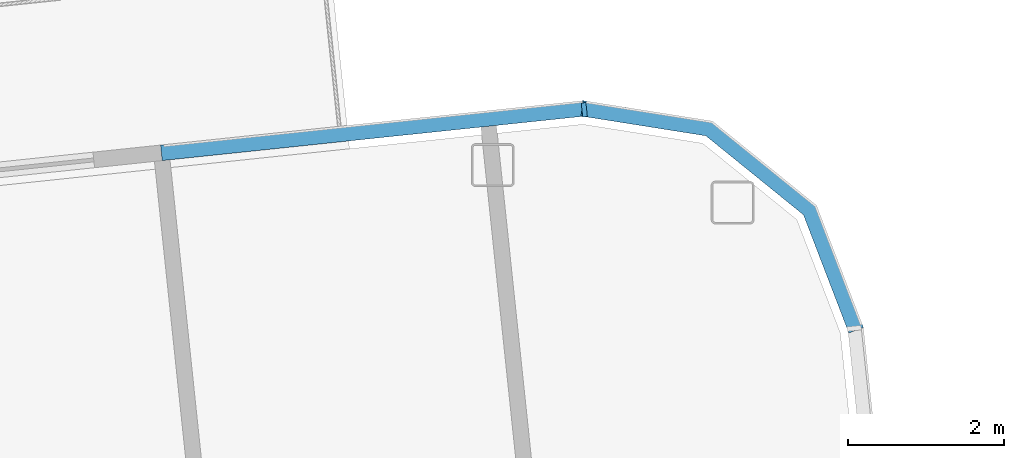
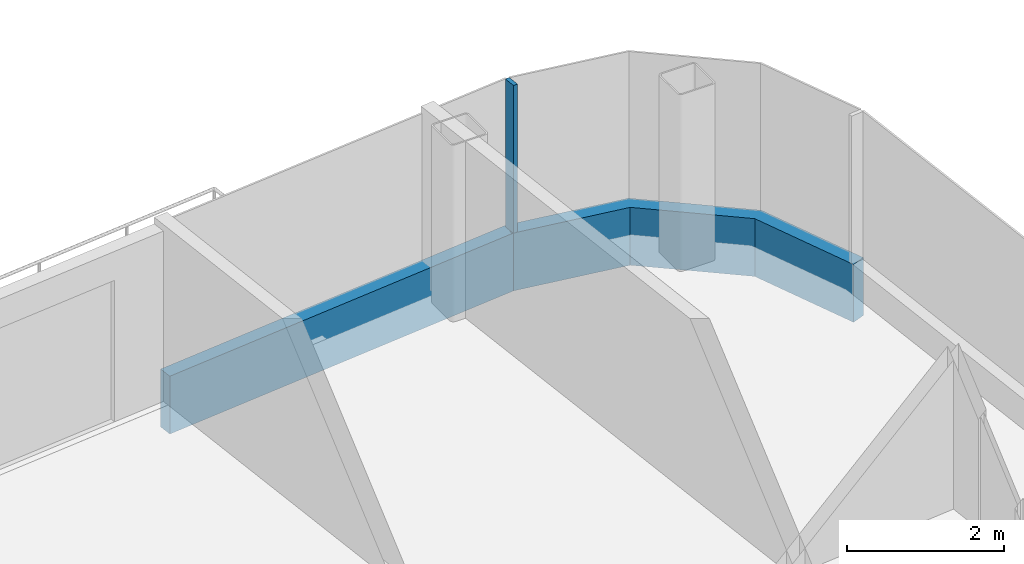
# One storey, part 10 of 30: 3 members, 2 elements without a shape of their own.
"""IFC4 building model written with IfcOpenShell, lengths in metres."""

from ifc_helpers import new_model, si_unit, direction, frame, origin, origin_2d, place, context, subcontext, project, spatial, polyline, rectangle, outline, extrude, material, layer, layer_set, material_profile, profile_set, type_object, element, aggregate, save


model = new_model("IFC4")

# Units and contexts
model_context = context("Model", 3, precision=1e-05, world=origin(), true_north=direction((0.0, 1.0)))
body_context = subcontext(model_context, "Body", "Model", "MODEL_VIEW")
ifc_project = project(units=[si_unit("LENGTHUNIT", "METRE"), si_unit("AREAUNIT", "SQUARE_METRE"), si_unit("VOLUMEUNIT", "CUBIC_METRE"), si_unit("PLANEANGLEUNIT", "RADIAN"), si_unit("MASSUNIT", "GRAM", prefix="KILO")], contexts=[model_context])

# Site, building, storey
site_placement = place(None, origin())
site = spatial("IfcSite", under=ifc_project, at=site_placement, CompositionType="ELEMENT")
building_placement = place(site_placement, origin())
building = spatial("IfcBuilding", under=site, at=building_placement, Name="Hakoniwa Tower and Hamabe Station Hall", CompositionType="ELEMENT")
storey_placement = place(building_placement, frame((0.0, 0.0, 245.39990234375)))
storey = spatial("IfcBuildingStorey", under=building, at=storey_placement, Name="L69", CompositionType="ELEMENT", Elevation=245.39990234375)

# Curtain wall, member
ifc_material_1 = material(Name="Dark low-e laminated glass", Category="glass")
ifc_layer = layer(ifc_material_1, 0.199951171875)
ifc_layer_set = layer_set([ifc_layer], Name="CW-1 UNITISED GUEST")
curtain_wall_type = type_object("IfcCurtainWallType", Name="CW-1 UNITISED GUEST", PredefinedType="NOTDEFINED", material=ifc_layer_set)
curtain_wall_1_placement = place(storey_placement, origin())
curtain_wall_1 = element("IfcCurtainWall", 1, at=curtain_wall_1_placement, inside=storey, type_object=curtain_wall_type, Name="CW-1 curtain wall", PredefinedType="NOTDEFINED")
ifc_material_2 = material(Name="Aluminium 6063-T5 black anodised", Category="aluminium")
ifc_material_profile_1 = material_profile(ifc_material_2, rectangle(XDim=0.199951171875, YDim=0.89990234375, at=origin_2d()), Name="CW SLAB-EDGE BAND 900X200")
ifc_profile_set_1 = profile_set([ifc_material_profile_1], Name="Aluminium 6063-T5 black anodised")
member_type_1 = type_object("IfcMemberType", Name="CW SLAB-EDGE BAND 900X200", PredefinedType="USERDEFINED", material=ifc_profile_set_1)
member_1_placement = place(storey_placement, frame((0.0, 0.0, -0.5498046875)))
member_1 = element("IfcMember", 2, at=member_1_placement, type_object=member_type_1, Name="CW-1 transom", ObjectType="TRANSOM", PredefinedType="USERDEFINED", context=body_context, shape_type="SweptSolid", body=[
    extrude(outline(polyline([(36.423828125, 20.445068359375), (35.82421875, 22.0068359375), (34.492431640625, 23.085205078125), (32.84033203125, 23.346923828125), (32.80908203125, 23.1494140625), (34.408203125, 22.89599609375), (35.65673828125, 21.885009765625), (36.237060546875, 20.37353515625), (36.423828125, 20.445068359375)])), origin(), (0.0, 0.0, 1.0), 0.89990234375),
])
aggregate(curtain_wall_1, [member_1])

# Curtain wall, members
curtain_wall_2_placement = place(storey_placement, origin())
curtain_wall_2 = element("IfcCurtainWall", 3, at=curtain_wall_2_placement, inside=storey, type_object=curtain_wall_type, Name="CW-1 curtain wall", PredefinedType="NOTDEFINED")
member_2_placement = place(storey_placement, frame((32.850830078125, 23.24755859375, -0.099853515625), z_axis=(-0.994521427115, -0.104532918303, 0.0), x_axis=(0.104532918303, -0.994521427115, 0.0)))
member_2 = element("IfcMember", 4, at=member_2_placement, type_object=member_type_1, Name="CW-1 transom", ObjectType="TRANSOM", PredefinedType="USERDEFINED", context=body_context, shape_type="SweptSolid", body=[
    extrude(rectangle(XDim=0.199951171875, YDim=0.89990234375, at=origin_2d()), origin(), (0.0, 0.0, 1.0), 5.439453125),
])
ifc_material_3 = material(Name="Aluminium 6063-T5 black anodised", Category="aluminium")
ifc_material_profile_2 = material_profile(ifc_material_3, rectangle(XDim=0.06005859375, YDim=0.179931640625, at=origin_2d()), Name="CW-1 MULLION 60X180")
ifc_profile_set_2 = profile_set([ifc_material_profile_2], Name="Aluminium 6063-T5 black anodised")
member_type_2 = type_object("IfcMemberType", Name="CW-1 MULLION 60X180", PredefinedType="MULLION", material=ifc_profile_set_2)
member_3_placement = place(storey_placement, frame((32.8525390625, 23.2294921875, 0.35009765625), z_axis=(0.0, 0.0, 1.0), x_axis=(-0.994521895272, -0.104528464188, 0.0)))
member_3 = element("IfcMember", 5, at=member_3_placement, type_object=member_type_2, Name="CW-1 mullion", PredefinedType="MULLION", context=body_context, shape_type="SweptSolid", body=[
    extrude(rectangle(XDim=0.06005859375, YDim=0.179931640625, at=origin_2d()), origin(), (0.0, 0.0, 1.0), 2.300048828125),
])
aggregate(curtain_wall_2, [member_3, member_2])

save(model, "model.ifc")
